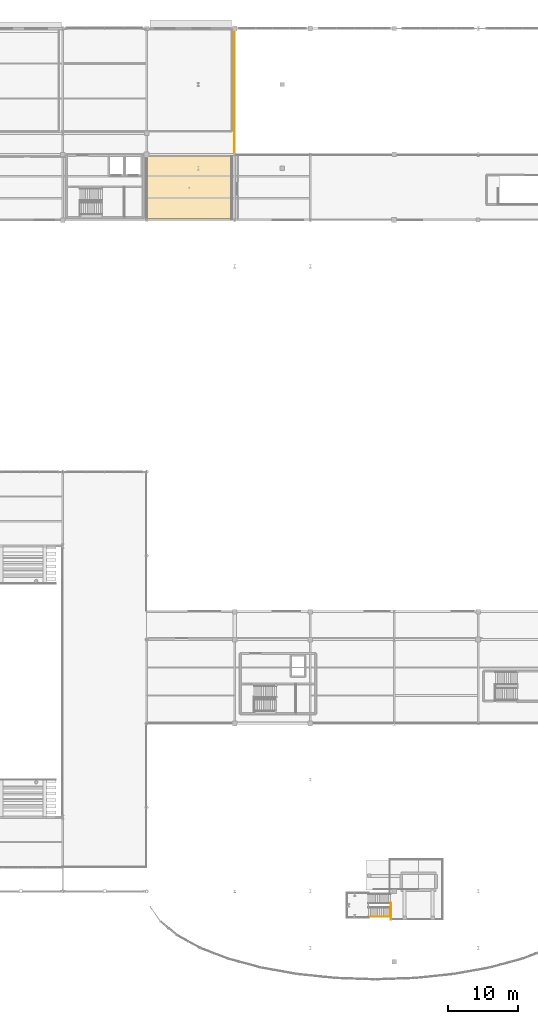
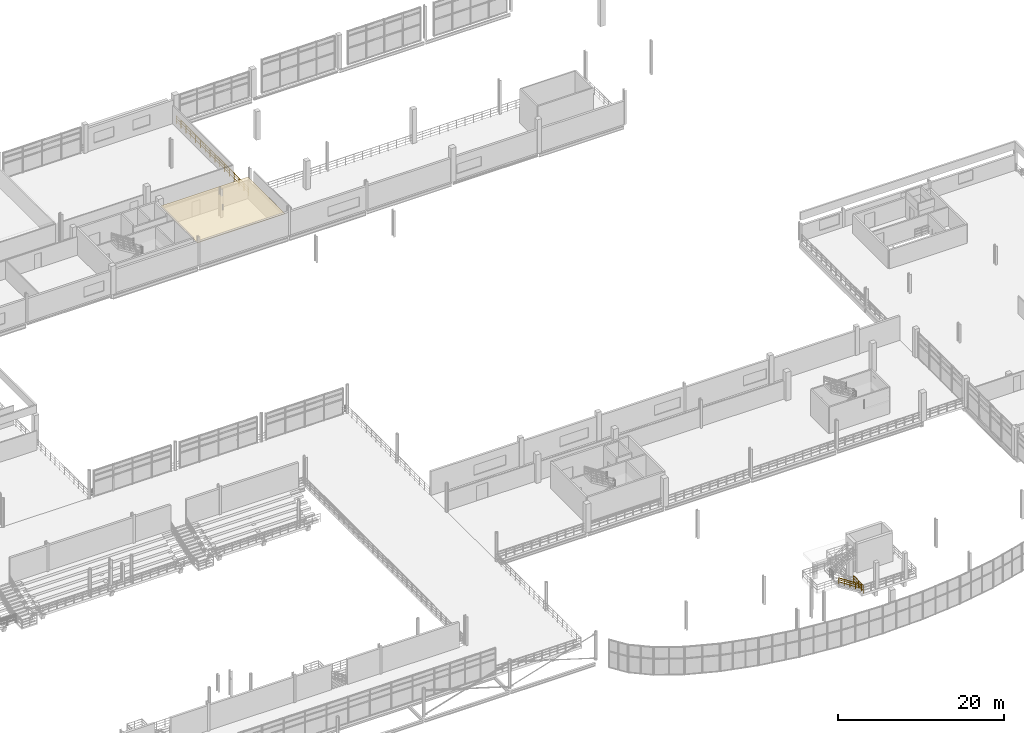
# One storey, part 84 of 89: 3 railings, 1 covering.
"""IFC4 building model written with IfcOpenShell, lengths in metres."""

from ifc_helpers import new_model, si_unit, direction, frame, origin, origin_2d, place, context, subcontext, project, spatial, rectangle, circle, extrude, material, layer, layer_set, type_object, element, save


model = new_model("IFC4")

# Units and contexts
model_context = context("Model", 3, precision=1e-05, world=origin(), true_north=direction((0.0, 1.0)))
body_context = subcontext(model_context, "Body", "Model", "MODEL_VIEW")
ifc_project = project(units=[si_unit("LENGTHUNIT", "METRE"), si_unit("AREAUNIT", "SQUARE_METRE"), si_unit("VOLUMEUNIT", "CUBIC_METRE"), si_unit("PLANEANGLEUNIT", "RADIAN"), si_unit("MASSUNIT", "GRAM", prefix="KILO"), si_unit("THERMODYNAMICTEMPERATUREUNIT", "KELVIN"), si_unit("POWERUNIT", "WATT")], contexts=[model_context])

# Site, building, storey
site_placement = place(None, origin())
site = spatial("IfcSite", under=ifc_project, at=site_placement, CompositionType="ELEMENT")
building_placement = place(site_placement, origin())
building = spatial("IfcBuilding", under=site, at=building_placement, Name="Solmara Park Aquatics Centre", CompositionType="ELEMENT")
storey_placement = place(building_placement, frame((0.0, 0.0, 5.39990234375)))
storey = spatial("IfcBuildingStorey", under=building, at=storey_placement, Name="L01", CompositionType="ELEMENT", Elevation=5.39990234375)

# Covering
ifc_material_1 = material(Name="Moisture-Resistant Perforated Acoustic Gypsum Ceiling", Category="gypsum")
ifc_layer_1 = layer(ifc_material_1, 0.0400390625, Name="Moisture-Resistant Perforated Acoustic Gypsum Ceiling")
ifc_layer_set_1 = layer_set([ifc_layer_1], Name="Moisture-Resistant Perforated Acoustic Gypsum Ceiling")
covering_type = type_object("IfcCoveringType", Name="ARC-COV-CEIL", PredefinedType="CEILING", material=ifc_layer_set_1)
covering_placement = place(storey_placement, frame((102.699951171875, 113.22509765625, 3.080078125), z_axis=(0.0, 0.0, 1.0), x_axis=(1.0, 0.0, 0.0)))
element("IfcCovering", 1, at=covering_placement, inside=storey, type_object=covering_type, Name="Acoustic Suspended Ceiling L01-LAB-01", PredefinedType="CEILING", context=body_context, shape_type="SweptSolid", body=[
    extrude(rectangle(XDim=12.199951171875, YDim=8.949951171875, at=origin_2d()), origin(), (0.0, 0.0, 1.0), 0.0400390625),
])

# Railings
ifc_material_2 = material(Name="Brushed Marine-Grade Stainless Steel 316L Handrail", Category="steel")
ifc_layer_2 = layer(ifc_material_2, 0.044921875, Name="Brushed Marine-Grade Stainless Steel 316L Handrail")
ifc_layer_set_2 = layer_set([ifc_layer_2], Name="Brushed Marine-Grade Stainless Steel 316L Handrail")
railing_type_1 = type_object("IfcRailingType", Name="ARC-RL-HND090", PredefinedType="HANDRAIL", material=ifc_layer_set_2)
railing_1_placement = place(storey_placement, frame((131.5, 8.9599609375, 0.16162109375)))
element("IfcRailing", 2, at=railing_1_placement, inside=storey, type_object=railing_type_1, Name="Diving Tower Platform Stair DT-02 Flight 1 Outer Handrail", PredefinedType="HANDRAIL", context=body_context, shape_type="SweptSolid", body=[
    extrude(circle(Radius=0.02392578125, at=origin_2d()), frame((0.0, 0.0, 0.89599609375), z_axis=(-0.834447378162, 0.0, 0.551087627405), x_axis=(0.0, -1.0, 0.0)), (0.0, 0.0, 1.0), 3.810791015625),
    extrude(circle(Radius=0.01416015625, at=origin_2d()), frame((0.0, 0.0, 0.322021484375), z_axis=(-0.834447378162, 0.0, 0.551087627405), x_axis=(0.0, -1.0, 0.0)), (0.0, 0.0, 1.0), 3.810791015625),
    extrude(circle(Radius=0.01416015625, at=origin_2d()), frame((0.0, 0.0, 0.62548828125), z_axis=(-0.834447378162, 0.0, 0.551087627405), x_axis=(0.0, -1.0, 0.0)), (0.0, 0.0, 1.0), 3.810791015625),
    extrude(circle(Radius=0.02099609375, at=origin_2d()), origin(), (0.0, 0.0, 1.0), 0.871826171875),
    extrude(circle(Radius=0.02099609375, at=origin_2d()), frame((-0.794921875, 0.0, 0.52490234375)), (0.0, 0.0, 1.0), 0.871826171875),
    extrude(circle(Radius=0.02099609375, at=origin_2d()), frame((-1.58984375, 0.0, 1.050048828125)), (0.0, 0.0, 1.0), 0.871826171875),
    extrude(circle(Radius=0.02099609375, at=origin_2d()), frame((-2.385009765625, 0.0, 1.5751953125)), (0.0, 0.0, 1.0), 0.871826171875),
    extrude(circle(Radius=0.02099609375, at=origin_2d()), frame((-3.179931640625, 0.0, 2.10009765625)), (0.0, 0.0, 1.0), 0.871826171875),
])
ifc_material_3 = material(Name="Toughened Glass and Stainless Steel Stand Guardrail", Category="steel")
ifc_layer_3 = layer(ifc_material_3, 0.06005859375, Name="Toughened Glass and Stainless Steel Stand Guardrail")
ifc_layer_set_3 = layer_set([ifc_layer_3], Name="Toughened Glass and Stainless Steel Stand Guardrail")
railing_type_2 = type_object("IfcRailingType", Name="ARC-RL-STD110", PredefinedType="GUARDRAIL", material=ifc_layer_set_3)
railing_2_placement = place(storey_placement, frame((109.139892578125, 135.625, 0.0)))
element("IfcRailing", 3, at=railing_2_placement, inside=storey, type_object=railing_type_2, Name="L01 Slab Edge Guardrail 076", PredefinedType="GUARDRAIL", context=body_context, shape_type="SweptSolid", body=[
    extrude(circle(Radius=0.02392578125, at=origin_2d()), frame((0.0, 0.0, 1.15576171875), z_axis=(0.0, -1.0, 0.0), x_axis=(1.0, 0.0, 0.0)), (0.0, 0.0, 1.0), 17.498779296875),
    extrude(circle(Radius=0.01416015625, at=origin_2d()), frame((0.0, 0.0, 0.4130859375), z_axis=(0.0, -1.0, 0.0), x_axis=(1.0, 0.0, 0.0)), (0.0, 0.0, 1.0), 17.498779296875),
    extrude(circle(Radius=0.01416015625, at=origin_2d()), frame((0.0, 0.0, 0.80224609375), z_axis=(0.0, -1.0, 0.0), x_axis=(1.0, 0.0, 0.0)), (0.0, 0.0, 1.0), 17.498779296875),
    extrude(circle(Radius=0.02099609375, at=origin_2d()), origin(), (0.0, 0.0, 1.0), 1.1318359375),
    extrude(circle(Radius=0.02099609375, at=origin_2d()), frame((0.0, -1.16650390625, 0.0)), (0.0, 0.0, 1.0), 1.1318359375),
    extrude(circle(Radius=0.02099609375, at=origin_2d()), frame((0.0, -2.333251953125, 0.0)), (0.0, 0.0, 1.0), 1.1318359375),
    extrude(circle(Radius=0.02099609375, at=origin_2d()), frame((0.0, -3.499755859375, 0.0)), (0.0, 0.0, 1.0), 1.1318359375),
    extrude(circle(Radius=0.02099609375, at=origin_2d()), frame((0.0, -4.666259765625, 0.0)), (0.0, 0.0, 1.0), 1.1318359375),
    extrude(circle(Radius=0.02099609375, at=origin_2d()), frame((0.0, -5.8330078125, 0.0)), (0.0, 0.0, 1.0), 1.1318359375),
    extrude(circle(Radius=0.02099609375, at=origin_2d()), frame((0.0, -6.99951171875, 0.0)), (0.0, 0.0, 1.0), 1.1318359375),
    extrude(circle(Radius=0.02099609375, at=origin_2d()), frame((0.0, -8.166015625, 0.0)), (0.0, 0.0, 1.0), 1.1318359375),
    extrude(circle(Radius=0.02099609375, at=origin_2d()), frame((0.0, -9.332763671875, 0.0)), (0.0, 0.0, 1.0), 1.1318359375),
    extrude(circle(Radius=0.02099609375, at=origin_2d()), frame((0.0, -10.499267578125, 0.0)), (0.0, 0.0, 1.0), 1.1318359375),
    extrude(circle(Radius=0.02099609375, at=origin_2d()), frame((0.0, -11.665771484375, 0.0)), (0.0, 0.0, 1.0), 1.1318359375),
    extrude(circle(Radius=0.02099609375, at=origin_2d()), frame((0.0, -12.83251953125, 0.0)), (0.0, 0.0, 1.0), 1.1318359375),
    extrude(circle(Radius=0.02099609375, at=origin_2d()), frame((0.0, -13.9990234375, 0.0)), (0.0, 0.0, 1.0), 1.1318359375),
    extrude(circle(Radius=0.02099609375, at=origin_2d()), frame((0.0, -15.16552734375, 0.0)), (0.0, 0.0, 1.0), 1.1318359375),
    extrude(circle(Radius=0.02099609375, at=origin_2d()), frame((0.0, -16.332275390625, 0.0)), (0.0, 0.0, 1.0), 1.1318359375),
    extrude(circle(Radius=0.02099609375, at=origin_2d()), frame((0.0, -17.498779296875, 0.0)), (0.0, 0.0, 1.0), 1.1318359375),
])
ifc_material_4 = material(Name="Brushed Stainless Steel Guardrail", Category="steel")
ifc_layer_4 = layer(ifc_material_4, 0.050048828125, Name="Brushed Stainless Steel Guardrail")
ifc_layer_set_4 = layer_set([ifc_layer_4], Name="Brushed Stainless Steel Guardrail")
railing_type_3 = type_object("IfcRailingType", Name="ARC-RL-STR110", PredefinedType="GUARDRAIL", material=ifc_layer_set_4)
railing_3_placement = place(storey_placement, frame((131.530029296875, 8.550048828125, 0.0)))
element("IfcRailing", 4, at=railing_3_placement, inside=storey, type_object=railing_type_3, Name="Diving Tower Platform Stair DT-01 Platform Arrival Guardrail", PredefinedType="GUARDRAIL", context=body_context, shape_type="SweptSolid", body=[
    extrude(circle(Radius=0.02392578125, at=origin_2d()), frame((0.0, 0.0, 1.15576171875), z_axis=(0.0, 1.0, 0.0), x_axis=(-1.0, 0.0, 0.0)), (0.0, 0.0, 1.0), 2.369873046875),
    extrude(circle(Radius=0.01416015625, at=origin_2d()), frame((0.0, 0.0, 0.4130859375), z_axis=(0.0, 1.0, 0.0), x_axis=(-1.0, 0.0, 0.0)), (0.0, 0.0, 1.0), 2.369873046875),
    extrude(circle(Radius=0.01416015625, at=origin_2d()), frame((0.0, 0.0, 0.80224609375), z_axis=(0.0, 1.0, 0.0), x_axis=(-1.0, 0.0, 0.0)), (0.0, 0.0, 1.0), 2.369873046875),
    extrude(circle(Radius=0.02099609375, at=origin_2d()), origin(), (0.0, 0.0, 1.0), 1.1318359375),
    extrude(circle(Radius=0.02099609375, at=origin_2d()), frame((0.0, 1.18505859375, 0.0)), (0.0, 0.0, 1.0), 1.1318359375),
    extrude(circle(Radius=0.02099609375, at=origin_2d()), frame((0.0, 2.369873046875, 0.0)), (0.0, 0.0, 1.0), 1.1318359375),
])

save(model, "model.ifc")
